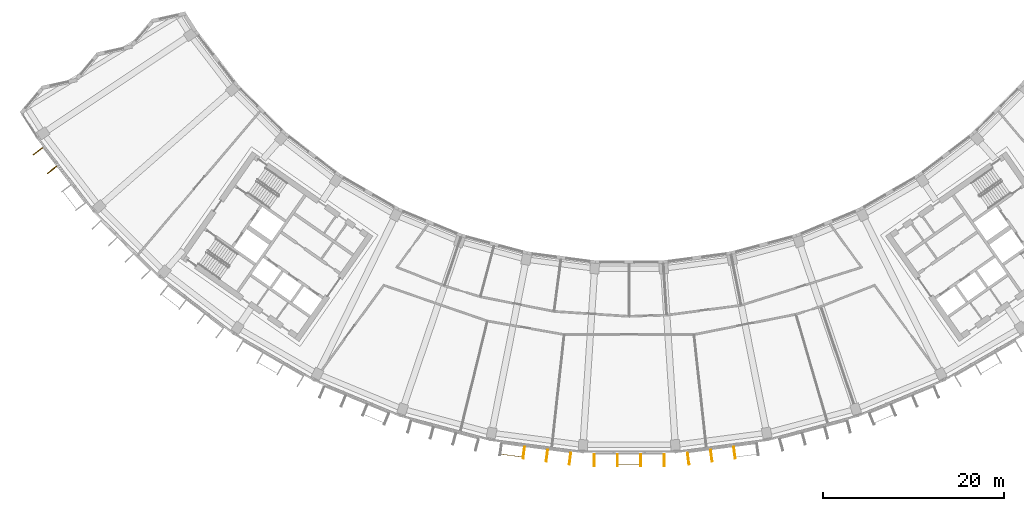
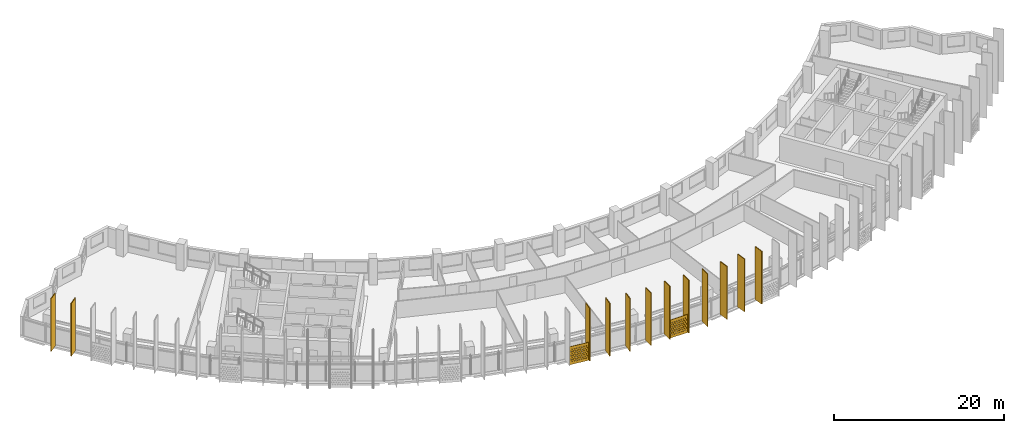
# One storey, part 25 of 28: 14 shading devices.
"""IFC4 building model written with IfcOpenShell, lengths in metres."""

import ifcopenshell
import ifcopenshell.guid

model = None  # the IFC model being written
_history = None  # IfcOwnerHistory: only IFC2X3 demands one
_inside = {}  # id of a spatial element -> (the spatial element, [elements in it])
_under = {}  # id of a project, library or spatial element -> (it, [spatial elements below it])
_declared = {}  # id of a project -> (the project, [libraries it declares])
_typed = {}  # id of a type object -> (the type object, [elements of that type])
_made_of = {}  # id of a material, layer set ... -> (it, [elements and type objects made of it])


def new_model(schema):
    """Start an empty IFC model of exactly this schema.

    Asked for "IFC4X3", IfcOpenShell would pick the latest addendum, in which some entities
    have other attributes; the version numbers below select the first issue.
    IFC2X3 requires an IfcOwnerHistory on every rooted entity: one is made here for all.
    """
    global model, _history
    if schema == "IFC4X3":
        model = ifcopenshell.file(schema_version=(4, 3, 0, 0))
    else:
        model = ifcopenshell.file(schema=schema)
    _inside.clear()
    _under.clear()
    _declared.clear()
    _typed.clear()
    _made_of.clear()
    _history = None
    if model.schema == "IFC2X3":
        org = make("IfcOrganization", Name="unknown")
        user = make(
            "IfcPersonAndOrganization",
            ThePerson=make("IfcPerson", FamilyName="unknown"),
            TheOrganization=org,
        )
        app = make(
            "IfcApplication",
            ApplicationDeveloper=org,
            Version="unknown",
            ApplicationFullName="unknown",
            ApplicationIdentifier="unknown",
        )
        _history = make(
            "IfcOwnerHistory",
            OwningUser=user,
            OwningApplication=app,
            ChangeAction="ADDED",
            CreationDate=0,
        )
    return model


def make(cls, **values):
    """One entity of the class cls with the attributes given. An attribute that is None is left unset."""
    return model.create_entity(
        cls, **{name: value for name, value in values.items() if value is not None}
    )


def rooted(cls, **values):
    """An entity with a GlobalId (a new one), such as an element, a storey or a relation."""
    return make(cls, GlobalId=ifcopenshell.guid.new(), OwnerHistory=_history, **values)


def si_unit(unit_type, name, prefix=None):
    """IfcSIUnit, for example si_unit("LENGTHUNIT", "METRE", prefix="MILLI")."""
    return make("IfcSIUnit", UnitType=unit_type, Prefix=prefix, Name=name)


def assignment(units):
    """IfcUnitAssignment: the units of a project."""
    return None if units is None else make("IfcUnitAssignment", Units=units)


def point(xyz):
    """IfcCartesianPoint."""
    return None if xyz is None else make("IfcCartesianPoint", Coordinates=xyz)


def direction(xyz):
    """IfcDirection."""
    return None if xyz is None else make("IfcDirection", DirectionRatios=xyz)


def frame(location, z_axis=None, x_axis=None):
    """IfcAxis2Placement3D, a coordinate frame: its origin and axes. An axis left out is left unset."""
    return make(
        "IfcAxis2Placement3D",
        Location=point(location),
        Axis=direction(z_axis),
        RefDirection=direction(x_axis),
    )


def frame_2d(location, x_axis=None):
    """IfcAxis2Placement2D, a coordinate frame in the plane: its origin and x axis."""
    return make(
        "IfcAxis2Placement2D", Location=point(location), RefDirection=direction(x_axis)
    )


def origin():
    """The frame at (0, 0, 0) with its axes left unset."""
    return frame((0.0, 0.0, 0.0))


def origin_2d():
    """The frame at (0, 0) in the plane with its x axis left unset."""
    return frame_2d((0.0, 0.0))


def place(relative_to, where):
    """IfcLocalPlacement: puts the frame where relative to a parent placement (None: the world)."""
    return make(
        "IfcLocalPlacement", PlacementRelTo=relative_to, RelativePlacement=where
    )


def context(
    kind, dimensions, precision=None, world=None, true_north=None, identifier=None
):
    """IfcGeometricRepresentationContext, for example the 3D "Model" context."""
    return make(
        "IfcGeometricRepresentationContext",
        ContextIdentifier=identifier,
        ContextType=kind,
        CoordinateSpaceDimension=dimensions,
        Precision=precision,
        WorldCoordinateSystem=world,
        TrueNorth=true_north,
    )


def subcontext(parent, identifier, kind, view, scale=None):
    """IfcGeometricRepresentationSubContext, for example "Body" below "Model"."""
    return make(
        "IfcGeometricRepresentationSubContext",
        ContextIdentifier=identifier,
        ContextType=kind,
        ParentContext=parent,
        TargetScale=scale,
        TargetView=view,
    )


def project(units=None, contexts=None):
    """IfcProject with its units and contexts."""
    return rooted(
        "IfcProject",
        Name="project",
        RepresentationContexts=contexts,
        UnitsInContext=assignment(units),
    )


def spatial(cls, under=None, at=None, **own):
    """A site, building, storey or space (cls), placed at a placement, below another one or the project."""
    s = rooted(cls, ObjectPlacement=at, **own)
    if under is not None:
        _under.setdefault(under.id(), (under, []))[1].append(s)
    return s


def polyline(points):
    """IfcPolyline through the points."""
    return make("IfcPolyline", Points=[point(p) for p in points])


def profile(cls, at=None, kind="AREA", **sizes):
    """A parametric profile (cls). Its sizes go by their IFC names, for example OverallWidth=200.0."""
    return make(cls, ProfileType=kind, Position=at, **sizes)


def rectangle(**sizes):
    """IfcRectangleProfileDef."""
    return profile("IfcRectangleProfileDef", **sizes)


def outline(outer, holes=None, kind="AREA"):
    """IfcArbitraryClosedProfileDef: a profile drawn as a closed curve; with holes, ...WithVoids."""
    if holes is None:
        return make("IfcArbitraryClosedProfileDef", ProfileType=kind, OuterCurve=outer)
    return make(
        "IfcArbitraryProfileDefWithVoids",
        ProfileType=kind,
        OuterCurve=outer,
        InnerCurves=holes,
    )


def extrude(swept, where, along, depth):
    """IfcExtrudedAreaSolid: the profile swept, set in the frame where, extruded along a direction by depth."""
    return make(
        "IfcExtrudedAreaSolid",
        SweptArea=swept,
        Position=where,
        ExtrudedDirection=direction(along),
        Depth=depth,
    )


def shape(context_of_items, identifier, shape_type, items):
    """IfcShapeRepresentation: the items that make up one representation, for example the "Body"."""
    return make(
        "IfcShapeRepresentation",
        ContextOfItems=context_of_items,
        RepresentationIdentifier=identifier,
        RepresentationType=shape_type,
        Items=items,
    )


def material(Name=None, Category=None):
    """IfcMaterial."""
    return make("IfcMaterial", Name=Name, Category=Category)


def material_profile(
    of_material, cross_section, Name=None, Category=None, Priority=None
):
    """IfcMaterialProfile: a cross section and its material."""
    return make(
        "IfcMaterialProfile",
        Name=Name,
        Material=of_material,
        Profile=cross_section,
        Priority=Priority,
        Category=Category,
    )


def profile_set(profiles, Name=None, composite=None):
    """IfcMaterialProfileSet."""
    return make(
        "IfcMaterialProfileSet",
        Name=Name,
        MaterialProfiles=profiles,
        CompositeProfile=composite,
    )


def made_of(thing, what):
    """Note that an element or type object is made of a material, layer set ...; save() writes the relation."""
    if what is not None:
        _made_of.setdefault(what.id(), (what, []))[1].append(thing)
    return thing


def type_object(cls, material=None, **own):
    """A type object (cls), such as IfcWallType, which elements share."""
    return made_of(rooted(cls, **own), material)


def element(
    cls,
    number,
    at=None,
    inside=None,
    cuts=None,
    type_object=None,
    material=None,
    context=None,
    identifier="Body",
    shape_type=None,
    held_by="IfcProductDefinitionShape",
    body=None,
    shapes=None,
    **own,
):
    """One element of the class cls, such as IfcWall. Its Tag is "e" and its number.

    at: its placement. inside: the storey or other place that contains it. cuts: it is an
    opening in that element (IfcRelVoidsElement). A single representation is given by context,
    identifier, shape_type and body (its items); several are given by shapes. held_by: the class
    of the entity that holds the representations. save() writes the other relations.
    """
    e = rooted(cls, Tag="e%d" % number, ObjectPlacement=at, **own)
    if body is not None:
        shapes = [shape(context, identifier, shape_type, body)]
    if shapes is not None:
        e.Representation = make(held_by, Representations=shapes)
    if inside is not None:
        _inside.setdefault(inside.id(), (inside, []))[1].append(e)
    if cuts is not None:
        rooted(
            "IfcRelVoidsElement", RelatingBuildingElement=cuts, RelatedOpeningElement=e
        )
    if type_object is not None:
        _typed.setdefault(type_object.id(), (type_object, []))[1].append(e)
    return made_of(e, material)


def aggregate(whole, parts):
    """IfcRelAggregates: a whole, such as a stair, and the parts it consists of."""
    return rooted("IfcRelAggregates", RelatingObject=whole, RelatedObjects=parts)


def save(model, path):
    """Write the relations noted so far, then the file.

    IfcRelAggregates (storeys below a building ...), IfcRelContainedInSpatialStructure (elements
    in a storey), IfcRelDefinesByType, IfcRelAssociatesMaterial and IfcRelDeclares: one each for
    every whole, place, type object, material and project.
    """
    for whole, parts in _under.values():
        aggregate(whole, parts)
    for where, things in _inside.values():
        rooted(
            "IfcRelContainedInSpatialStructure",
            RelatedElements=things,
            RelatingStructure=where,
        )
    for kind, things in _typed.values():
        rooted("IfcRelDefinesByType", RelatedObjects=things, RelatingType=kind)
    for what, things in _made_of.values():
        rooted("IfcRelAssociatesMaterial", RelatedObjects=things, RelatingMaterial=what)
    for by, libraries in _declared.values():
        rooted("IfcRelDeclares", RelatingContext=by, RelatedDefinitions=libraries)
    model.write(path)


model = new_model("IFC4")

# Units and contexts
model_context = context("Model", 3, precision=1e-05, world=origin(), true_north=direction((0.0, 1.0)))
body_context = subcontext(model_context, "Body", "Model", "MODEL_VIEW")
ifc_project = project(units=[si_unit("LENGTHUNIT", "METRE"), si_unit("AREAUNIT", "SQUARE_METRE"), si_unit("VOLUMEUNIT", "CUBIC_METRE"), si_unit("PLANEANGLEUNIT", "RADIAN"), si_unit("MASSUNIT", "GRAM", prefix="KILO")], contexts=[model_context])

# Site, building, storey
site_placement = place(None, origin())
site = spatial("IfcSite", under=ifc_project, at=site_placement, CompositionType="ELEMENT")
building_placement = place(site_placement, origin())
building = spatial("IfcBuilding", under=site, at=building_placement, Name="Qamariyya Broadcast Tower", CompositionType="ELEMENT")
storey_placement = place(building_placement, frame((0.0, 0.0, 241.699951171875)))
storey = spatial("IfcBuildingStorey", under=building, at=storey_placement, Name="L58", CompositionType="ELEMENT", Elevation=241.699951171875)

# Shading devices
ifc_material_1 = material(Name="Perforated glazed terracotta", Category="masonry")
ifc_material_profile_1 = material_profile(ifc_material_1, outline(polyline([(-1.199951171875, -1.300048828125), (1.199951171875, -1.300048828125), (1.199951171875, 1.300048828125), (-1.199951171875, 1.300048828125), (-1.199951171875, -1.300048828125)]), holes=[polyline([(-0.81494140625, -0.86669921875), (-0.89990234375, -0.78173828125), (-0.985107421875, -0.86669921875), (-0.89990234375, -0.95166015625), (-0.81494140625, -0.86669921875)]), polyline([(-0.514892578125, -0.86669921875), (-0.60009765625, -0.78173828125), (-0.68505859375, -0.86669921875), (-0.60009765625, -0.95166015625), (-0.514892578125, -0.86669921875)]), polyline([(-0.215087890625, -0.86669921875), (-0.300048828125, -0.78173828125), (-0.385009765625, -0.86669921875), (-0.300048828125, -0.95166015625), (-0.215087890625, -0.86669921875)]), polyline([(0.0849609375, -0.86669921875), (0.0, -0.78173828125), (-0.0849609375, -0.86669921875), (0.0, -0.95166015625), (0.0849609375, -0.86669921875)]), polyline([(0.385009765625, -0.86669921875), (0.300048828125, -0.78173828125), (0.215087890625, -0.86669921875), (0.300048828125, -0.95166015625), (0.385009765625, -0.86669921875)]), polyline([(0.68505859375, -0.86669921875), (0.60009765625, -0.78173828125), (0.514892578125, -0.86669921875), (0.60009765625, -0.95166015625), (0.68505859375, -0.86669921875)]), polyline([(0.985107421875, -0.86669921875), (0.89990234375, -0.78173828125), (0.81494140625, -0.86669921875), (0.89990234375, -0.95166015625), (0.985107421875, -0.86669921875)]), polyline([(-0.965087890625, -0.577880859375), (-1.050048828125, -0.49267578125), (-1.135009765625, -0.577880859375), (-1.050048828125, -0.662841796875), (-0.965087890625, -0.577880859375)]), polyline([(-0.6650390625, -0.577880859375), (-0.75, -0.49267578125), (-0.8349609375, -0.577880859375), (-0.75, -0.662841796875), (-0.6650390625, -0.577880859375)]), polyline([(-0.364990234375, -0.577880859375), (-0.449951171875, -0.49267578125), (-0.534912109375, -0.577880859375), (-0.449951171875, -0.662841796875), (-0.364990234375, -0.577880859375)]), polyline([(-0.06494140625, -0.577880859375), (-0.14990234375, -0.49267578125), (-0.235107421875, -0.577880859375), (-0.14990234375, -0.662841796875), (-0.06494140625, -0.577880859375)]), polyline([(0.235107421875, -0.577880859375), (0.14990234375, -0.49267578125), (0.06494140625, -0.577880859375), (0.14990234375, -0.662841796875), (0.235107421875, -0.577880859375)]), polyline([(0.534912109375, -0.577880859375), (0.449951171875, -0.49267578125), (0.364990234375, -0.577880859375), (0.449951171875, -0.662841796875), (0.534912109375, -0.577880859375)]), polyline([(0.8349609375, -0.577880859375), (0.75, -0.49267578125), (0.6650390625, -0.577880859375), (0.75, -0.662841796875), (0.8349609375, -0.577880859375)]), polyline([(1.135009765625, -0.577880859375), (1.050048828125, -0.49267578125), (0.965087890625, -0.577880859375), (1.050048828125, -0.662841796875), (1.135009765625, -0.577880859375)]), polyline([(-0.81494140625, -0.288818359375), (-0.89990234375, -0.203857421875), (-0.985107421875, -0.288818359375), (-0.89990234375, -0.373779296875), (-0.81494140625, -0.288818359375)]), polyline([(-0.514892578125, -0.288818359375), (-0.60009765625, -0.203857421875), (-0.68505859375, -0.288818359375), (-0.60009765625, -0.373779296875), (-0.514892578125, -0.288818359375)]), polyline([(-0.215087890625, -0.288818359375), (-0.300048828125, -0.203857421875), (-0.385009765625, -0.288818359375), (-0.300048828125, -0.373779296875), (-0.215087890625, -0.288818359375)]), polyline([(0.0849609375, -0.288818359375), (0.0, -0.203857421875), (-0.0849609375, -0.288818359375), (0.0, -0.373779296875), (0.0849609375, -0.288818359375)]), polyline([(0.385009765625, -0.288818359375), (0.300048828125, -0.203857421875), (0.215087890625, -0.288818359375), (0.300048828125, -0.373779296875), (0.385009765625, -0.288818359375)]), polyline([(0.68505859375, -0.288818359375), (0.60009765625, -0.203857421875), (0.514892578125, -0.288818359375), (0.60009765625, -0.373779296875), (0.68505859375, -0.288818359375)]), polyline([(0.985107421875, -0.288818359375), (0.89990234375, -0.203857421875), (0.81494140625, -0.288818359375), (0.89990234375, -0.373779296875), (0.985107421875, -0.288818359375)]), polyline([(-0.965087890625, 0.0), (-1.050048828125, 0.0849609375), (-1.135009765625, 0.0), (-1.050048828125, -0.0849609375), (-0.965087890625, 0.0)]), polyline([(-0.6650390625, 0.0), (-0.75, 0.0849609375), (-0.8349609375, 0.0), (-0.75, -0.0849609375), (-0.6650390625, 0.0)]), polyline([(-0.364990234375, 0.0), (-0.449951171875, 0.0849609375), (-0.534912109375, 0.0), (-0.449951171875, -0.0849609375), (-0.364990234375, 0.0)]), polyline([(-0.06494140625, 0.0), (-0.14990234375, 0.0849609375), (-0.235107421875, 0.0), (-0.14990234375, -0.0849609375), (-0.06494140625, 0.0)]), polyline([(0.235107421875, 0.0), (0.14990234375, 0.0849609375), (0.06494140625, 0.0), (0.14990234375, -0.0849609375), (0.235107421875, 0.0)]), polyline([(0.534912109375, 0.0), (0.449951171875, 0.0849609375), (0.364990234375, 0.0), (0.449951171875, -0.0849609375), (0.534912109375, 0.0)]), polyline([(0.8349609375, 0.0), (0.75, 0.0849609375), (0.6650390625, 0.0), (0.75, -0.0849609375), (0.8349609375, 0.0)]), polyline([(1.135009765625, 0.0), (1.050048828125, 0.0849609375), (0.965087890625, 0.0), (1.050048828125, -0.0849609375), (1.135009765625, 0.0)]), polyline([(-0.81494140625, 0.288818359375), (-0.89990234375, 0.373779296875), (-0.985107421875, 0.288818359375), (-0.89990234375, 0.203857421875), (-0.81494140625, 0.288818359375)]), polyline([(-0.514892578125, 0.288818359375), (-0.60009765625, 0.373779296875), (-0.68505859375, 0.288818359375), (-0.60009765625, 0.203857421875), (-0.514892578125, 0.288818359375)]), polyline([(-0.215087890625, 0.288818359375), (-0.300048828125, 0.373779296875), (-0.385009765625, 0.288818359375), (-0.300048828125, 0.203857421875), (-0.215087890625, 0.288818359375)]), polyline([(0.0849609375, 0.288818359375), (0.0, 0.373779296875), (-0.0849609375, 0.288818359375), (0.0, 0.203857421875), (0.0849609375, 0.288818359375)]), polyline([(0.385009765625, 0.288818359375), (0.300048828125, 0.373779296875), (0.215087890625, 0.288818359375), (0.300048828125, 0.203857421875), (0.385009765625, 0.288818359375)]), polyline([(0.68505859375, 0.288818359375), (0.60009765625, 0.373779296875), (0.514892578125, 0.288818359375), (0.60009765625, 0.203857421875), (0.68505859375, 0.288818359375)]), polyline([(0.985107421875, 0.288818359375), (0.89990234375, 0.373779296875), (0.81494140625, 0.288818359375), (0.89990234375, 0.203857421875), (0.985107421875, 0.288818359375)]), polyline([(-0.965087890625, 0.577880859375), (-1.050048828125, 0.662841796875), (-1.135009765625, 0.577880859375), (-1.050048828125, 0.49267578125), (-0.965087890625, 0.577880859375)]), polyline([(-0.6650390625, 0.577880859375), (-0.75, 0.662841796875), (-0.8349609375, 0.577880859375), (-0.75, 0.49267578125), (-0.6650390625, 0.577880859375)]), polyline([(-0.364990234375, 0.577880859375), (-0.449951171875, 0.662841796875), (-0.534912109375, 0.577880859375), (-0.449951171875, 0.49267578125), (-0.364990234375, 0.577880859375)]), polyline([(-0.06494140625, 0.577880859375), (-0.14990234375, 0.662841796875), (-0.235107421875, 0.577880859375), (-0.14990234375, 0.49267578125), (-0.06494140625, 0.577880859375)]), polyline([(0.235107421875, 0.577880859375), (0.14990234375, 0.662841796875), (0.06494140625, 0.577880859375), (0.14990234375, 0.49267578125), (0.235107421875, 0.577880859375)]), polyline([(0.534912109375, 0.577880859375), (0.449951171875, 0.662841796875), (0.364990234375, 0.577880859375), (0.449951171875, 0.49267578125), (0.534912109375, 0.577880859375)]), polyline([(0.8349609375, 0.577880859375), (0.75, 0.662841796875), (0.6650390625, 0.577880859375), (0.75, 0.49267578125), (0.8349609375, 0.577880859375)]), polyline([(1.135009765625, 0.577880859375), (1.050048828125, 0.662841796875), (0.965087890625, 0.577880859375), (1.050048828125, 0.49267578125), (1.135009765625, 0.577880859375)]), polyline([(-0.81494140625, 0.86669921875), (-0.89990234375, 0.95166015625), (-0.985107421875, 0.86669921875), (-0.89990234375, 0.78173828125), (-0.81494140625, 0.86669921875)]), polyline([(-0.514892578125, 0.86669921875), (-0.60009765625, 0.95166015625), (-0.68505859375, 0.86669921875), (-0.60009765625, 0.78173828125), (-0.514892578125, 0.86669921875)]), polyline([(-0.215087890625, 0.86669921875), (-0.300048828125, 0.95166015625), (-0.385009765625, 0.86669921875), (-0.300048828125, 0.78173828125), (-0.215087890625, 0.86669921875)]), polyline([(0.0849609375, 0.86669921875), (0.0, 0.95166015625), (-0.0849609375, 0.86669921875), (0.0, 0.78173828125), (0.0849609375, 0.86669921875)]), polyline([(0.385009765625, 0.86669921875), (0.300048828125, 0.95166015625), (0.215087890625, 0.86669921875), (0.300048828125, 0.78173828125), (0.385009765625, 0.86669921875)]), polyline([(0.68505859375, 0.86669921875), (0.60009765625, 0.95166015625), (0.514892578125, 0.86669921875), (0.60009765625, 0.78173828125), (0.68505859375, 0.86669921875)]), polyline([(0.985107421875, 0.86669921875), (0.89990234375, 0.95166015625), (0.81494140625, 0.86669921875), (0.89990234375, 0.78173828125), (0.985107421875, 0.86669921875)])]))
ifc_profile_set_1 = profile_set([ifc_material_profile_1], Name="Perforated glazed terracotta")
shading_device_type_1 = type_object("IfcShadingDeviceType", Name="Perforated terracotta screen 2400 x 2600", PredefinedType="USERDEFINED", material=ifc_profile_set_1)
shading_device_1_placement = place(storey_placement, frame((-12.995361328125, -78.72900390625, 1.35009765625), z_axis=(-0.13056005306, -0.991440402921, 0.0), x_axis=(0.991440402921, -0.13056005306, 0.0)))
element("IfcShadingDevice", 1, at=shading_device_1_placement, inside=storey, type_object=shading_device_type_1, Name="e-scr-L58-07-0", ObjectType="SCREEN", PredefinedType="USERDEFINED", context=body_context, shape_type="SweptSolid", body=[
    extrude(outline(polyline([(-1.199951171875, -1.300048828125), (1.199951171875, -1.300048828125), (1.199951171875, 1.300048828125), (-1.199951171875, 1.300048828125), (-1.199951171875, -1.300048828125)]), holes=[polyline([(-0.81494140625, -0.86669921875), (-0.89990234375, -0.78173828125), (-0.985107421875, -0.86669921875), (-0.89990234375, -0.95166015625), (-0.81494140625, -0.86669921875)]), polyline([(-0.514892578125, -0.86669921875), (-0.60009765625, -0.78173828125), (-0.68505859375, -0.86669921875), (-0.60009765625, -0.95166015625), (-0.514892578125, -0.86669921875)]), polyline([(-0.215087890625, -0.86669921875), (-0.300048828125, -0.78173828125), (-0.385009765625, -0.86669921875), (-0.300048828125, -0.95166015625), (-0.215087890625, -0.86669921875)]), polyline([(0.0849609375, -0.86669921875), (0.0, -0.78173828125), (-0.0849609375, -0.86669921875), (0.0, -0.95166015625), (0.0849609375, -0.86669921875)]), polyline([(0.385009765625, -0.86669921875), (0.300048828125, -0.78173828125), (0.215087890625, -0.86669921875), (0.300048828125, -0.95166015625), (0.385009765625, -0.86669921875)]), polyline([(0.68505859375, -0.86669921875), (0.60009765625, -0.78173828125), (0.514892578125, -0.86669921875), (0.60009765625, -0.95166015625), (0.68505859375, -0.86669921875)]), polyline([(0.985107421875, -0.86669921875), (0.89990234375, -0.78173828125), (0.81494140625, -0.86669921875), (0.89990234375, -0.95166015625), (0.985107421875, -0.86669921875)]), polyline([(-0.965087890625, -0.577880859375), (-1.050048828125, -0.49267578125), (-1.135009765625, -0.577880859375), (-1.050048828125, -0.662841796875), (-0.965087890625, -0.577880859375)]), polyline([(-0.6650390625, -0.577880859375), (-0.75, -0.49267578125), (-0.8349609375, -0.577880859375), (-0.75, -0.662841796875), (-0.6650390625, -0.577880859375)]), polyline([(-0.364990234375, -0.577880859375), (-0.449951171875, -0.49267578125), (-0.534912109375, -0.577880859375), (-0.449951171875, -0.662841796875), (-0.364990234375, -0.577880859375)]), polyline([(-0.06494140625, -0.577880859375), (-0.14990234375, -0.49267578125), (-0.235107421875, -0.577880859375), (-0.14990234375, -0.662841796875), (-0.06494140625, -0.577880859375)]), polyline([(0.235107421875, -0.577880859375), (0.14990234375, -0.49267578125), (0.06494140625, -0.577880859375), (0.14990234375, -0.662841796875), (0.235107421875, -0.577880859375)]), polyline([(0.534912109375, -0.577880859375), (0.449951171875, -0.49267578125), (0.364990234375, -0.577880859375), (0.449951171875, -0.662841796875), (0.534912109375, -0.577880859375)]), polyline([(0.8349609375, -0.577880859375), (0.75, -0.49267578125), (0.6650390625, -0.577880859375), (0.75, -0.662841796875), (0.8349609375, -0.577880859375)]), polyline([(1.135009765625, -0.577880859375), (1.050048828125, -0.49267578125), (0.965087890625, -0.577880859375), (1.050048828125, -0.662841796875), (1.135009765625, -0.577880859375)]), polyline([(-0.81494140625, -0.288818359375), (-0.89990234375, -0.203857421875), (-0.985107421875, -0.288818359375), (-0.89990234375, -0.373779296875), (-0.81494140625, -0.288818359375)]), polyline([(-0.514892578125, -0.288818359375), (-0.60009765625, -0.203857421875), (-0.68505859375, -0.288818359375), (-0.60009765625, -0.373779296875), (-0.514892578125, -0.288818359375)]), polyline([(-0.215087890625, -0.288818359375), (-0.300048828125, -0.203857421875), (-0.385009765625, -0.288818359375), (-0.300048828125, -0.373779296875), (-0.215087890625, -0.288818359375)]), polyline([(0.0849609375, -0.288818359375), (0.0, -0.203857421875), (-0.0849609375, -0.288818359375), (0.0, -0.373779296875), (0.0849609375, -0.288818359375)]), polyline([(0.385009765625, -0.288818359375), (0.300048828125, -0.203857421875), (0.215087890625, -0.288818359375), (0.300048828125, -0.373779296875), (0.385009765625, -0.288818359375)]), polyline([(0.68505859375, -0.288818359375), (0.60009765625, -0.203857421875), (0.514892578125, -0.288818359375), (0.60009765625, -0.373779296875), (0.68505859375, -0.288818359375)]), polyline([(0.985107421875, -0.288818359375), (0.89990234375, -0.203857421875), (0.81494140625, -0.288818359375), (0.89990234375, -0.373779296875), (0.985107421875, -0.288818359375)]), polyline([(-0.965087890625, 0.0), (-1.050048828125, 0.0849609375), (-1.135009765625, 0.0), (-1.050048828125, -0.0849609375), (-0.965087890625, 0.0)]), polyline([(-0.6650390625, 0.0), (-0.75, 0.0849609375), (-0.8349609375, 0.0), (-0.75, -0.0849609375), (-0.6650390625, 0.0)]), polyline([(-0.364990234375, 0.0), (-0.449951171875, 0.0849609375), (-0.534912109375, 0.0), (-0.449951171875, -0.0849609375), (-0.364990234375, 0.0)]), polyline([(-0.06494140625, 0.0), (-0.14990234375, 0.0849609375), (-0.235107421875, 0.0), (-0.14990234375, -0.0849609375), (-0.06494140625, 0.0)]), polyline([(0.235107421875, 0.0), (0.14990234375, 0.0849609375), (0.06494140625, 0.0), (0.14990234375, -0.0849609375), (0.235107421875, 0.0)]), polyline([(0.534912109375, 0.0), (0.449951171875, 0.0849609375), (0.364990234375, 0.0), (0.449951171875, -0.0849609375), (0.534912109375, 0.0)]), polyline([(0.8349609375, 0.0), (0.75, 0.0849609375), (0.6650390625, 0.0), (0.75, -0.0849609375), (0.8349609375, 0.0)]), polyline([(1.135009765625, 0.0), (1.050048828125, 0.0849609375), (0.965087890625, 0.0), (1.050048828125, -0.0849609375), (1.135009765625, 0.0)]), polyline([(-0.81494140625, 0.288818359375), (-0.89990234375, 0.373779296875), (-0.985107421875, 0.288818359375), (-0.89990234375, 0.203857421875), (-0.81494140625, 0.288818359375)]), polyline([(-0.514892578125, 0.288818359375), (-0.60009765625, 0.373779296875), (-0.68505859375, 0.288818359375), (-0.60009765625, 0.203857421875), (-0.514892578125, 0.288818359375)]), polyline([(-0.215087890625, 0.288818359375), (-0.300048828125, 0.373779296875), (-0.385009765625, 0.288818359375), (-0.300048828125, 0.203857421875), (-0.215087890625, 0.288818359375)]), polyline([(0.0849609375, 0.288818359375), (0.0, 0.373779296875), (-0.0849609375, 0.288818359375), (0.0, 0.203857421875), (0.0849609375, 0.288818359375)]), polyline([(0.385009765625, 0.288818359375), (0.300048828125, 0.373779296875), (0.215087890625, 0.288818359375), (0.300048828125, 0.203857421875), (0.385009765625, 0.288818359375)]), polyline([(0.68505859375, 0.288818359375), (0.60009765625, 0.373779296875), (0.514892578125, 0.288818359375), (0.60009765625, 0.203857421875), (0.68505859375, 0.288818359375)]), polyline([(0.985107421875, 0.288818359375), (0.89990234375, 0.373779296875), (0.81494140625, 0.288818359375), (0.89990234375, 0.203857421875), (0.985107421875, 0.288818359375)]), polyline([(-0.965087890625, 0.577880859375), (-1.050048828125, 0.662841796875), (-1.135009765625, 0.577880859375), (-1.050048828125, 0.49267578125), (-0.965087890625, 0.577880859375)]), polyline([(-0.6650390625, 0.577880859375), (-0.75, 0.662841796875), (-0.8349609375, 0.577880859375), (-0.75, 0.49267578125), (-0.6650390625, 0.577880859375)]), polyline([(-0.364990234375, 0.577880859375), (-0.449951171875, 0.662841796875), (-0.534912109375, 0.577880859375), (-0.449951171875, 0.49267578125), (-0.364990234375, 0.577880859375)]), polyline([(-0.06494140625, 0.577880859375), (-0.14990234375, 0.662841796875), (-0.235107421875, 0.577880859375), (-0.14990234375, 0.49267578125), (-0.06494140625, 0.577880859375)]), polyline([(0.235107421875, 0.577880859375), (0.14990234375, 0.662841796875), (0.06494140625, 0.577880859375), (0.14990234375, 0.49267578125), (0.235107421875, 0.577880859375)]), polyline([(0.534912109375, 0.577880859375), (0.449951171875, 0.662841796875), (0.364990234375, 0.577880859375), (0.449951171875, 0.49267578125), (0.534912109375, 0.577880859375)]), polyline([(0.8349609375, 0.577880859375), (0.75, 0.662841796875), (0.6650390625, 0.577880859375), (0.75, 0.49267578125), (0.8349609375, 0.577880859375)]), polyline([(1.135009765625, 0.577880859375), (1.050048828125, 0.662841796875), (0.965087890625, 0.577880859375), (1.050048828125, 0.49267578125), (1.135009765625, 0.577880859375)]), polyline([(-0.81494140625, 0.86669921875), (-0.89990234375, 0.95166015625), (-0.985107421875, 0.86669921875), (-0.89990234375, 0.78173828125), (-0.81494140625, 0.86669921875)]), polyline([(-0.514892578125, 0.86669921875), (-0.60009765625, 0.95166015625), (-0.68505859375, 0.86669921875), (-0.60009765625, 0.78173828125), (-0.514892578125, 0.86669921875)]), polyline([(-0.215087890625, 0.86669921875), (-0.300048828125, 0.95166015625), (-0.385009765625, 0.86669921875), (-0.300048828125, 0.78173828125), (-0.215087890625, 0.86669921875)]), polyline([(0.0849609375, 0.86669921875), (0.0, 0.95166015625), (-0.0849609375, 0.86669921875), (0.0, 0.78173828125), (0.0849609375, 0.86669921875)]), polyline([(0.385009765625, 0.86669921875), (0.300048828125, 0.95166015625), (0.215087890625, 0.86669921875), (0.300048828125, 0.78173828125), (0.385009765625, 0.86669921875)]), polyline([(0.68505859375, 0.86669921875), (0.60009765625, 0.95166015625), (0.514892578125, 0.86669921875), (0.60009765625, 0.78173828125), (0.68505859375, 0.86669921875)]), polyline([(0.985107421875, 0.86669921875), (0.89990234375, 0.95166015625), (0.81494140625, 0.86669921875), (0.89990234375, 0.78173828125), (0.985107421875, 0.86669921875)])]), origin(), (0.0, 0.0, 1.0), 0.059814453125),
])
shading_device_2_placement = place(storey_placement, frame((-0.035888671875, -79.751708984375, 1.35009765625), z_axis=(0.0, -1.0, 0.0), x_axis=(1.0, 0.0, 0.0)))
element("IfcShadingDevice", 2, at=shading_device_2_placement, inside=storey, type_object=shading_device_type_1, Name="e-scr-L58-08-1", ObjectType="SCREEN", PredefinedType="USERDEFINED", context=body_context, shape_type="SweptSolid", body=[
    extrude(outline(polyline([(-1.199951171875, -1.300048828125), (1.199951171875, -1.300048828125), (1.199951171875, 1.300048828125), (-1.199951171875, 1.300048828125), (-1.199951171875, -1.300048828125)]), holes=[polyline([(-0.81494140625, -0.86669921875), (-0.89990234375, -0.78173828125), (-0.985107421875, -0.86669921875), (-0.89990234375, -0.95166015625), (-0.81494140625, -0.86669921875)]), polyline([(-0.514892578125, -0.86669921875), (-0.60009765625, -0.78173828125), (-0.68505859375, -0.86669921875), (-0.60009765625, -0.95166015625), (-0.514892578125, -0.86669921875)]), polyline([(-0.215087890625, -0.86669921875), (-0.300048828125, -0.78173828125), (-0.385009765625, -0.86669921875), (-0.300048828125, -0.95166015625), (-0.215087890625, -0.86669921875)]), polyline([(0.0849609375, -0.86669921875), (0.0, -0.78173828125), (-0.0849609375, -0.86669921875), (0.0, -0.95166015625), (0.0849609375, -0.86669921875)]), polyline([(0.385009765625, -0.86669921875), (0.300048828125, -0.78173828125), (0.215087890625, -0.86669921875), (0.300048828125, -0.95166015625), (0.385009765625, -0.86669921875)]), polyline([(0.68505859375, -0.86669921875), (0.60009765625, -0.78173828125), (0.514892578125, -0.86669921875), (0.60009765625, -0.95166015625), (0.68505859375, -0.86669921875)]), polyline([(0.985107421875, -0.86669921875), (0.89990234375, -0.78173828125), (0.81494140625, -0.86669921875), (0.89990234375, -0.95166015625), (0.985107421875, -0.86669921875)]), polyline([(-0.965087890625, -0.577880859375), (-1.050048828125, -0.49267578125), (-1.135009765625, -0.577880859375), (-1.050048828125, -0.662841796875), (-0.965087890625, -0.577880859375)]), polyline([(-0.6650390625, -0.577880859375), (-0.75, -0.49267578125), (-0.8349609375, -0.577880859375), (-0.75, -0.662841796875), (-0.6650390625, -0.577880859375)]), polyline([(-0.364990234375, -0.577880859375), (-0.449951171875, -0.49267578125), (-0.534912109375, -0.577880859375), (-0.449951171875, -0.662841796875), (-0.364990234375, -0.577880859375)]), polyline([(-0.06494140625, -0.577880859375), (-0.14990234375, -0.49267578125), (-0.235107421875, -0.577880859375), (-0.14990234375, -0.662841796875), (-0.06494140625, -0.577880859375)]), polyline([(0.235107421875, -0.577880859375), (0.14990234375, -0.49267578125), (0.06494140625, -0.577880859375), (0.14990234375, -0.662841796875), (0.235107421875, -0.577880859375)]), polyline([(0.534912109375, -0.577880859375), (0.449951171875, -0.49267578125), (0.364990234375, -0.577880859375), (0.449951171875, -0.662841796875), (0.534912109375, -0.577880859375)]), polyline([(0.8349609375, -0.577880859375), (0.75, -0.49267578125), (0.6650390625, -0.577880859375), (0.75, -0.662841796875), (0.8349609375, -0.577880859375)]), polyline([(1.135009765625, -0.577880859375), (1.050048828125, -0.49267578125), (0.965087890625, -0.577880859375), (1.050048828125, -0.662841796875), (1.135009765625, -0.577880859375)]), polyline([(-0.81494140625, -0.288818359375), (-0.89990234375, -0.203857421875), (-0.985107421875, -0.288818359375), (-0.89990234375, -0.373779296875), (-0.81494140625, -0.288818359375)]), polyline([(-0.514892578125, -0.288818359375), (-0.60009765625, -0.203857421875), (-0.68505859375, -0.288818359375), (-0.60009765625, -0.373779296875), (-0.514892578125, -0.288818359375)]), polyline([(-0.215087890625, -0.288818359375), (-0.300048828125, -0.203857421875), (-0.385009765625, -0.288818359375), (-0.300048828125, -0.373779296875), (-0.215087890625, -0.288818359375)]), polyline([(0.0849609375, -0.288818359375), (0.0, -0.203857421875), (-0.0849609375, -0.288818359375), (0.0, -0.373779296875), (0.0849609375, -0.288818359375)]), polyline([(0.385009765625, -0.288818359375), (0.300048828125, -0.203857421875), (0.215087890625, -0.288818359375), (0.300048828125, -0.373779296875), (0.385009765625, -0.288818359375)]), polyline([(0.68505859375, -0.288818359375), (0.60009765625, -0.203857421875), (0.514892578125, -0.288818359375), (0.60009765625, -0.373779296875), (0.68505859375, -0.288818359375)]), polyline([(0.985107421875, -0.288818359375), (0.89990234375, -0.203857421875), (0.81494140625, -0.288818359375), (0.89990234375, -0.373779296875), (0.985107421875, -0.288818359375)]), polyline([(-0.965087890625, 0.0), (-1.050048828125, 0.0849609375), (-1.135009765625, 0.0), (-1.050048828125, -0.0849609375), (-0.965087890625, 0.0)]), polyline([(-0.6650390625, 0.0), (-0.75, 0.0849609375), (-0.8349609375, 0.0), (-0.75, -0.0849609375), (-0.6650390625, 0.0)]), polyline([(-0.364990234375, 0.0), (-0.449951171875, 0.0849609375), (-0.534912109375, 0.0), (-0.449951171875, -0.0849609375), (-0.364990234375, 0.0)]), polyline([(-0.06494140625, 0.0), (-0.14990234375, 0.0849609375), (-0.235107421875, 0.0), (-0.14990234375, -0.0849609375), (-0.06494140625, 0.0)]), polyline([(0.235107421875, 0.0), (0.14990234375, 0.0849609375), (0.06494140625, 0.0), (0.14990234375, -0.0849609375), (0.235107421875, 0.0)]), polyline([(0.534912109375, 0.0), (0.449951171875, 0.0849609375), (0.364990234375, 0.0), (0.449951171875, -0.0849609375), (0.534912109375, 0.0)]), polyline([(0.8349609375, 0.0), (0.75, 0.0849609375), (0.6650390625, 0.0), (0.75, -0.0849609375), (0.8349609375, 0.0)]), polyline([(1.135009765625, 0.0), (1.050048828125, 0.0849609375), (0.965087890625, 0.0), (1.050048828125, -0.0849609375), (1.135009765625, 0.0)]), polyline([(-0.81494140625, 0.288818359375), (-0.89990234375, 0.373779296875), (-0.985107421875, 0.288818359375), (-0.89990234375, 0.203857421875), (-0.81494140625, 0.288818359375)]), polyline([(-0.514892578125, 0.288818359375), (-0.60009765625, 0.373779296875), (-0.68505859375, 0.288818359375), (-0.60009765625, 0.203857421875), (-0.514892578125, 0.288818359375)]), polyline([(-0.215087890625, 0.288818359375), (-0.300048828125, 0.373779296875), (-0.385009765625, 0.288818359375), (-0.300048828125, 0.203857421875), (-0.215087890625, 0.288818359375)]), polyline([(0.0849609375, 0.288818359375), (0.0, 0.373779296875), (-0.0849609375, 0.288818359375), (0.0, 0.203857421875), (0.0849609375, 0.288818359375)]), polyline([(0.385009765625, 0.288818359375), (0.300048828125, 0.373779296875), (0.215087890625, 0.288818359375), (0.300048828125, 0.203857421875), (0.385009765625, 0.288818359375)]), polyline([(0.68505859375, 0.288818359375), (0.60009765625, 0.373779296875), (0.514892578125, 0.288818359375), (0.60009765625, 0.203857421875), (0.68505859375, 0.288818359375)]), polyline([(0.985107421875, 0.288818359375), (0.89990234375, 0.373779296875), (0.81494140625, 0.288818359375), (0.89990234375, 0.203857421875), (0.985107421875, 0.288818359375)]), polyline([(-0.965087890625, 0.577880859375), (-1.050048828125, 0.662841796875), (-1.135009765625, 0.577880859375), (-1.050048828125, 0.49267578125), (-0.965087890625, 0.577880859375)]), polyline([(-0.6650390625, 0.577880859375), (-0.75, 0.662841796875), (-0.8349609375, 0.577880859375), (-0.75, 0.49267578125), (-0.6650390625, 0.577880859375)]), polyline([(-0.364990234375, 0.577880859375), (-0.449951171875, 0.662841796875), (-0.534912109375, 0.577880859375), (-0.449951171875, 0.49267578125), (-0.364990234375, 0.577880859375)]), polyline([(-0.06494140625, 0.577880859375), (-0.14990234375, 0.662841796875), (-0.235107421875, 0.577880859375), (-0.14990234375, 0.49267578125), (-0.06494140625, 0.577880859375)]), polyline([(0.235107421875, 0.577880859375), (0.14990234375, 0.662841796875), (0.06494140625, 0.577880859375), (0.14990234375, 0.49267578125), (0.235107421875, 0.577880859375)]), polyline([(0.534912109375, 0.577880859375), (0.449951171875, 0.662841796875), (0.364990234375, 0.577880859375), (0.449951171875, 0.49267578125), (0.534912109375, 0.577880859375)]), polyline([(0.8349609375, 0.577880859375), (0.75, 0.662841796875), (0.6650390625, 0.577880859375), (0.75, 0.49267578125), (0.8349609375, 0.577880859375)]), polyline([(1.135009765625, 0.577880859375), (1.050048828125, 0.662841796875), (0.965087890625, 0.577880859375), (1.050048828125, 0.49267578125), (1.135009765625, 0.577880859375)]), polyline([(-0.81494140625, 0.86669921875), (-0.89990234375, 0.95166015625), (-0.985107421875, 0.86669921875), (-0.89990234375, 0.78173828125), (-0.81494140625, 0.86669921875)]), polyline([(-0.514892578125, 0.86669921875), (-0.60009765625, 0.95166015625), (-0.68505859375, 0.86669921875), (-0.60009765625, 0.78173828125), (-0.514892578125, 0.86669921875)]), polyline([(-0.215087890625, 0.86669921875), (-0.300048828125, 0.95166015625), (-0.385009765625, 0.86669921875), (-0.300048828125, 0.78173828125), (-0.215087890625, 0.86669921875)]), polyline([(0.0849609375, 0.86669921875), (0.0, 0.95166015625), (-0.0849609375, 0.86669921875), (0.0, 0.78173828125), (0.0849609375, 0.86669921875)]), polyline([(0.385009765625, 0.86669921875), (0.300048828125, 0.95166015625), (0.215087890625, 0.86669921875), (0.300048828125, 0.78173828125), (0.385009765625, 0.86669921875)]), polyline([(0.68505859375, 0.86669921875), (0.60009765625, 0.95166015625), (0.514892578125, 0.86669921875), (0.60009765625, 0.78173828125), (0.68505859375, 0.86669921875)]), polyline([(0.985107421875, 0.86669921875), (0.89990234375, 0.95166015625), (0.81494140625, 0.86669921875), (0.89990234375, 0.78173828125), (0.985107421875, 0.86669921875)])]), origin(), (0.0, 0.0, 1.0), 0.059814453125),
])
ifc_material_2 = material(Name="Glazed terracotta", Category="masonry")
ifc_material_profile_2 = material_profile(ifc_material_2, rectangle(XDim=1.300048828125, YDim=0.10009765625, at=origin_2d()))
ifc_profile_set_2 = profile_set([ifc_material_profile_2], Name="Glazed terracotta")
shading_device_type_2 = type_object("IfcShadingDeviceType", Name="Terracotta fin 100 x 1300", PredefinedType="USERDEFINED", material=ifc_profile_set_2)
for number, where, z_axis, x_axis, name in (
    (3, (-65.246826171875, -45.202880859375, 0.0), (0.0, 0.0, 1.0), (-0.793353340291, -0.608761429009, 0.0), "e-fin-L58-01-0"),
    (4, (-63.68115234375, -47.243408203125, 0.0), (0.0, 0.0, 1.0), (-0.793353340291, -0.608761429009, 0.0), "e-fin-L58-01-1"),
    (5, (-11.623291015625, -78.435546875, 0.0), (0.0, 0.0, 1.0), (-0.13052619222, -0.991444861374, 0.0), "e-fin-L58-07-1"),
    (6, (-9.0732421875, -78.771240234375, 0.0), (0.0, 0.0, 1.0), (-0.13052619222, -0.991444861374, 0.0), "e-fin-L58-07-2"),
    (7, (-6.5234375, -79.10693359375, 0.0), (0.0, 0.0, 1.0), (-0.13052619222, -0.991444861374, 0.0), "e-fin-L58-07-3"),
    (8, (-3.85791015625, -79.281494140625, 0.0), (0.0, 0.0, 1.0), (0.0, -1.0, 0.0), "e-fin-L58-08-0"),
    (9, (-1.285888671875, -79.281494140625, 0.0), (0.0, 0.0, 1.0), (0.0, -1.0, 0.0), "e-fin-L58-08-1"),
    (10, (1.285888671875, -79.281494140625, 0.0), (0.0, 0.0, 1.0), (0.0, -1.0, 0.0), "e-fin-L58-08-2"),
    (11, (3.85791015625, -79.281494140625, 0.0), (0.0, 0.0, 1.0), (0.0, -1.0, 0.0), "e-fin-L58-08-3"),
    (12, (6.5234375, -79.10693359375, 0.0), (0.0, 0.0, 1.0), (0.13052619222, -0.991444861374, 0.0), "e-fin-L58-09-0"),
    (13, (9.0732421875, -78.771240234375, 0.0), (0.0, 0.0, 1.0), (0.13052619222, -0.991444861374, 0.0), "e-fin-L58-09-1"),
    (14, (11.623291015625, -78.435546875, 0.0), (0.0, 0.0, 1.0), (0.13052619222, -0.991444861374, 0.0), "e-fin-L58-09-2"),
):
    element("IfcShadingDevice", number, at=place(storey_placement, frame(where, z_axis=z_axis, x_axis=x_axis)), inside=storey, type_object=shading_device_type_2, Name=name, ObjectType="FIN", PredefinedType="USERDEFINED", context=body_context, shape_type="SweptSolid", body=[
        extrude(rectangle(XDim=1.300048828125, YDim=0.10009765625, at=origin_2d()), origin(), (0.0, 0.0, 1.0), 7.60009765625),
    ])

save(model, "model.ifc")
